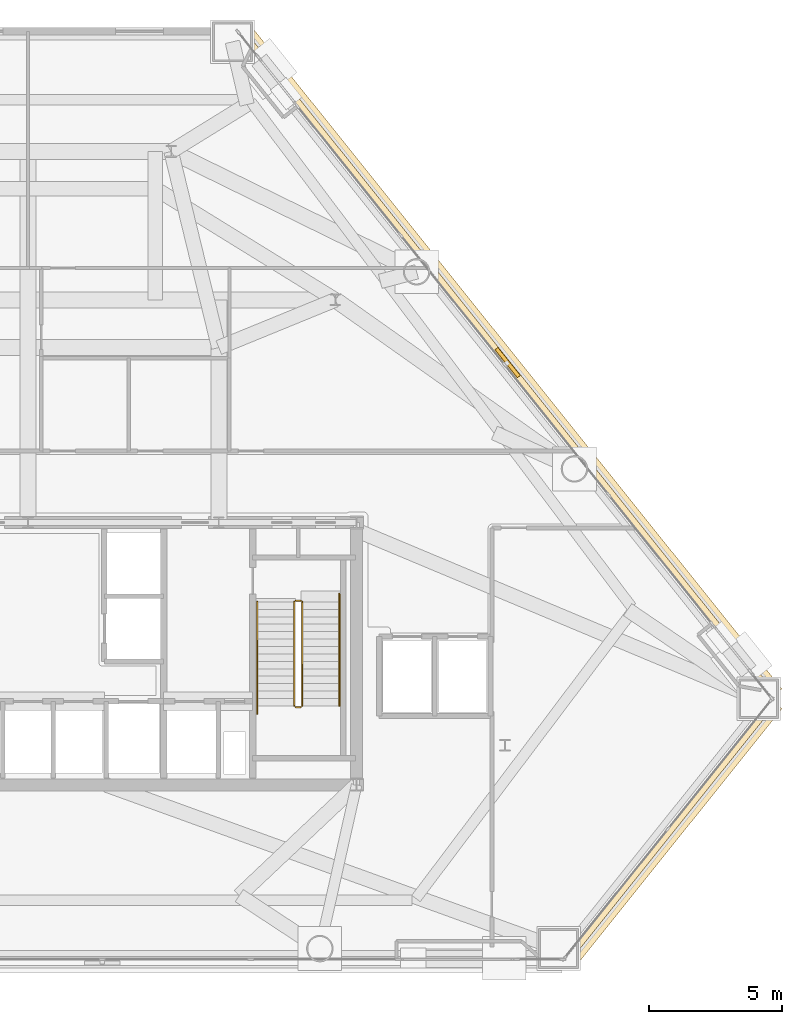
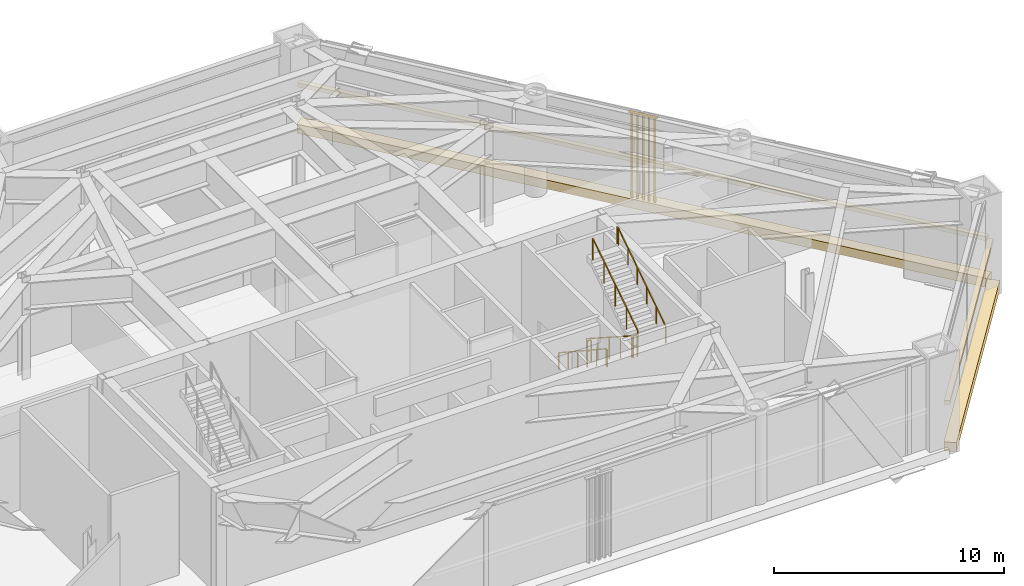
# One storey, part 13 of 13: 6 railings, 4 coverings, 1 shading device.
"""IFC4 building model written with IfcOpenShell, lengths in metres."""

from ifc_helpers import new_model, si_unit, direction, frame, origin, origin_2d, place, context, subcontext, project, spatial, rectangle, extrude, source, transform, mapped, material, layer, layer_set, type_object, type_shapes, element, save


model = new_model("IFC4")

# Units and contexts
model_context = context("Model", 3, precision=1e-05, world=origin(), true_north=direction((0.0, 1.0)))
body_context = subcontext(model_context, "Body", "Model", "MODEL_VIEW")
ifc_project = project(units=[si_unit("LENGTHUNIT", "METRE"), si_unit("AREAUNIT", "SQUARE_METRE"), si_unit("VOLUMEUNIT", "CUBIC_METRE"), si_unit("PLANEANGLEUNIT", "RADIAN"), si_unit("MASSUNIT", "GRAM", prefix="KILO")], contexts=[model_context])

# Site, building, storey
site_placement = place(None, origin())
site = spatial("IfcSite", under=ifc_project, at=site_placement, CompositionType="ELEMENT")
building_placement = place(site_placement, origin())
building = spatial("IfcBuilding", under=site, at=building_placement, Name="Talgorran Terracotta Tower", CompositionType="ELEMENT")
storey_placement = place(building_placement, frame((0.0, 0.0, 18.89990234375)))
storey = spatial("IfcBuildingStorey", under=building, at=storey_placement, Name="L04", CompositionType="ELEMENT", Elevation=18.89990234375)

# Coverings
ifc_material_1 = material(Name="Kiln-Fired Terracotta Ochre Ceramic", Category="masonry")
ifc_layer_1 = layer(ifc_material_1, 0.179931640625, Name="COV_BAGUETTE_TERRACOTTA_SCREEN")
ifc_layer_set_1 = layer_set([ifc_layer_1], Name="Kiln-Fired Terracotta Ochre Ceramic")
covering_type_1 = type_object("IfcCoveringType", Name="COV_BAGUETTE_TERRACOTTA_SCREEN", PredefinedType="CLADDING", material=ifc_layer_set_1)
covering_1_placement = place(storey_placement, frame((24.226318359375, -15.83056640625, 2.41015625), z_axis=(0.0, 0.0, 1.0), x_axis=(0.625120058901, 0.780528610597, 0.0)))
element("IfcCovering", 1, at=covering_1_placement, inside=storey, type_object=covering_type_1, Name="L04 Terracotta Baguette Solar Screen Assembly F2", PredefinedType="CLADDING", context=body_context, shape_type="SweptSolid", body=[
    extrude(rectangle(XDim=12.4462890625, YDim=0.260009765625, at=origin_2d()), origin(), (0.0, 0.0, 1.0), 0.219970703125),
])
covering_2_placement = place(storey_placement, frame((18.072509765625, 1.802490234375, 2.41015625), z_axis=(0.0, 0.0, 1.0), x_axis=(-0.625120058901, 0.780528610597, 0.0)))
element("IfcCovering", 2, at=covering_2_placement, inside=storey, type_object=covering_type_1, Name="L04 Terracotta Baguette Solar Screen Assembly F3", PredefinedType="CLADDING", context=body_context, shape_type="SweptSolid", body=[
    extrude(rectangle(XDim=32.135498046875, YDim=0.260009765625, at=origin_2d()), origin(), (0.0, 0.0, 1.0), 0.219970703125),
])
ifc_material_2 = material(Name="Honed Limestone Cladding", Category="masonry")
ifc_layer_2 = layer(ifc_material_2, 0.094970703125, Name="COV_PORTAL_LIME")
ifc_layer_set_2 = layer_set([ifc_layer_2], Name="Honed Limestone Cladding")
covering_type_2 = type_object("IfcCoveringType", Name="COV_PORTAL_LIME", PredefinedType="CLADDING", material=ifc_layer_set_2)
covering_3_placement = place(storey_placement, frame((24.335693359375, -15.91796875, -0.039794921875), z_axis=(0.0, 0.0, 1.0), x_axis=(0.625120058901, 0.780528610597, 0.0)))
element("IfcCovering", 3, at=covering_3_placement, inside=storey, type_object=covering_type_2, Name="L04 Striped Postmodern Portal Cladding Band F2", PredefinedType="CLADDING", context=body_context, shape_type="SweptSolid", body=[
    extrude(rectangle(XDim=12.46630859375, YDim=0.56005859375, at=origin_2d()), origin(), (0.0, 0.0, 1.0), 0.47998046875),
])
covering_4_placement = place(storey_placement, frame((18.181640625, 1.889892578125, -0.039794921875), z_axis=(0.0, 0.0, 1.0), x_axis=(-0.625120058901, 0.780528610597, 0.0)))
element("IfcCovering", 4, at=covering_4_placement, inside=storey, type_object=covering_type_2, Name="L04 Striped Postmodern Portal Cladding Band F3", PredefinedType="CLADDING", context=body_context, shape_type="SweptSolid", body=[
    extrude(rectangle(XDim=32.155517578125, YDim=0.56005859375, at=origin_2d()), origin(), (0.0, 0.0, 1.0), 0.47998046875),
])

# Railings
ifc_material_3 = material(Name="Steel S355 (300PLUS)", Category="steel")
railing_type_1 = type_object("IfcRailingType", Name="RL_HANDRAIL_920", PredefinedType="HANDRAIL", material=ifc_material_3)
railing_1_placement = place(storey_placement, frame((8.64990234375, -7.199951171875, 0.18017578125)))
element("IfcRailing", 5, at=railing_1_placement, inside=storey, type_object=railing_type_1, Name="L04 ST-02 stair handrail 1", PredefinedType="HANDRAIL", context=body_context, shape_type="SweptSolid", body=[
    extrude(rectangle(XDim=0.048095703125, YDim=0.048095703125, at=origin_2d()), frame((0.0, 0.0, 0.89599609375), z_axis=(0.0, -0.835181450546, 0.549974494557), x_axis=(1.0, 0.0, 0.0)), (0.0, 0.0, 1.0), 4.9091796875),
    extrude(rectangle(XDim=0.048095703125, YDim=0.048095703125, at=origin_2d()), frame((0.0, -4.10009765625, 3.595703125), z_axis=(0.0, -1.0, 0.0), x_axis=(1.0, 0.0, 0.0)), (0.0, 0.0, 1.0), 0.119873046875),
    extrude(rectangle(XDim=0.0419921875, YDim=0.0419921875, at=origin_2d()), origin(), (0.0, 0.0, 1.0), 0.871826171875),
    extrude(rectangle(XDim=0.0419921875, YDim=0.0419921875, at=origin_2d()), frame((0.0, -0.820068359375, 0.5400390625)), (0.0, 0.0, 1.0), 0.871826171875),
    extrude(rectangle(XDim=0.0419921875, YDim=0.0419921875, at=origin_2d()), frame((0.0, -1.64013671875, 1.080078125)), (0.0, 0.0, 1.0), 0.871826171875),
    extrude(rectangle(XDim=0.0419921875, YDim=0.0419921875, at=origin_2d()), frame((0.0, -2.4599609375, 1.619873046875)), (0.0, 0.0, 1.0), 0.871826171875),
    extrude(rectangle(XDim=0.0419921875, YDim=0.0419921875, at=origin_2d()), frame((0.0, -3.280029296875, 2.159912109375)), (0.0, 0.0, 1.0), 0.871826171875),
    extrude(rectangle(XDim=0.0419921875, YDim=0.0419921875, at=origin_2d()), frame((0.0, -4.10009765625, 2.699951171875)), (0.0, 0.0, 1.0), 0.871826171875),
    extrude(rectangle(XDim=0.0419921875, YDim=0.0419921875, at=origin_2d()), frame((0.0, -4.219970703125, 2.699951171875)), (0.0, 0.0, 1.0), 0.871826171875),
])
railing_2_placement = place(storey_placement, frame((11.75, -11.1201171875, 2.880126953125)))
element("IfcRailing", 6, at=railing_2_placement, inside=storey, type_object=railing_type_1, Name="L04 ST-02 stair handrail 2", PredefinedType="HANDRAIL", context=body_context, shape_type="SweptSolid", body=[
    extrude(rectangle(XDim=0.048095703125, YDim=0.048095703125, at=origin_2d()), frame((0.0, 0.0, 0.89599609375), z_axis=(0.0, 0.835181450546, 0.549974494557), x_axis=(-1.0, 0.0, 0.0)), (0.0, 0.0, 1.0), 4.9091796875),
    extrude(rectangle(XDim=0.048095703125, YDim=0.048095703125, at=origin_2d()), frame((0.0, 4.10009765625, 3.595703125), z_axis=(0.0, 1.0, 0.0), x_axis=(-1.0, 0.0, 0.0)), (0.0, 0.0, 1.0), 0.1201171875),
    extrude(rectangle(XDim=0.0419921875, YDim=0.0419921875, at=origin_2d()), origin(), (0.0, 0.0, 1.0), 0.871826171875),
    extrude(rectangle(XDim=0.0419921875, YDim=0.0419921875, at=origin_2d()), frame((0.0, 0.820068359375, 0.5400390625)), (0.0, 0.0, 1.0), 0.871826171875),
    extrude(rectangle(XDim=0.0419921875, YDim=0.0419921875, at=origin_2d()), frame((0.0, 1.64013671875, 1.080078125)), (0.0, 0.0, 1.0), 0.871826171875),
    extrude(rectangle(XDim=0.0419921875, YDim=0.0419921875, at=origin_2d()), frame((0.0, 2.4599609375, 1.619873046875)), (0.0, 0.0, 1.0), 0.871826171875),
    extrude(rectangle(XDim=0.0419921875, YDim=0.0419921875, at=origin_2d()), frame((0.0, 3.280029296875, 2.159912109375)), (0.0, 0.0, 1.0), 0.871826171875),
    extrude(rectangle(XDim=0.0419921875, YDim=0.0419921875, at=origin_2d()), frame((0.0, 4.10009765625, 2.699951171875)), (0.0, 0.0, 1.0), 0.871826171875),
    extrude(rectangle(XDim=0.0419921875, YDim=0.0419921875, at=origin_2d()), frame((0.0, 4.22021484375, 2.699951171875)), (0.0, 0.0, 1.0), 0.871826171875),
])
railing_type_2 = type_object("IfcRailingType", Name="RL_STAIR_GUARD", PredefinedType="GUARDRAIL", material=ifc_material_3)
railing_3_placement = place(storey_placement, frame((10.050048828125, -7.199951171875, 0.18017578125)))
element("IfcRailing", 7, at=railing_3_placement, inside=storey, type_object=railing_type_2, Name="L04 ST-02 stair guard 1", PredefinedType="GUARDRAIL", context=body_context, shape_type="SweptSolid", body=[
    extrude(rectangle(XDim=0.048095703125, YDim=0.048095703125, at=origin_2d()), frame((0.0, 0.0, 1.15576171875), z_axis=(0.0, -0.841186985886, 0.540744352514), x_axis=(1.0, 0.0, 0.0)), (0.0, 0.0, 1.0), 4.660400390625),
    extrude(rectangle(XDim=0.0419921875, YDim=0.0419921875, at=origin_2d()), origin(), (0.0, 0.0, 1.0), 1.1318359375),
    extrude(rectangle(XDim=0.0419921875, YDim=0.0419921875, at=origin_2d()), frame((0.0, -0.97998046875, 0.6298828125)), (0.0, 0.0, 1.0), 1.1318359375),
    extrude(rectangle(XDim=0.0419921875, YDim=0.0419921875, at=origin_2d()), frame((0.0, -1.9599609375, 1.260009765625)), (0.0, 0.0, 1.0), 1.1318359375),
    extrude(rectangle(XDim=0.0419921875, YDim=0.0419921875, at=origin_2d()), frame((0.0, -2.940185546875, 1.89013671875)), (0.0, 0.0, 1.0), 1.1318359375),
    extrude(rectangle(XDim=0.0419921875, YDim=0.0419921875, at=origin_2d()), frame((0.0, -3.920166015625, 2.52001953125)), (0.0, 0.0, 1.0), 1.1318359375),
])
railing_4_placement = place(storey_placement, frame((10.10009765625, -11.169921875, 2.7001953125)))
element("IfcRailing", 8, at=railing_4_placement, inside=storey, type_object=railing_type_2, Name="L04 ST-02 stair guard 2", PredefinedType="GUARDRAIL", context=body_context, shape_type="SweptSolid", body=[
    extrude(rectangle(XDim=0.048095703125, YDim=0.048095703125, at=origin_2d()), frame((0.0, 0.0, 1.15576171875), z_axis=(1.0, 0.0, 0.0), x_axis=(0.0, 1.0, 0.0)), (0.0, 0.0, 1.0), 0.199951171875),
    extrude(rectangle(XDim=0.048095703125, YDim=0.048095703125, at=origin_2d()), frame((0.0, 0.0, 0.613525390625), z_axis=(1.0, 0.0, 0.0), x_axis=(0.0, 1.0, 0.0)), (0.0, 0.0, 1.0), 0.199951171875),
    extrude(rectangle(XDim=0.0419921875, YDim=0.0419921875, at=origin_2d()), origin(), (0.0, 0.0, 1.0), 1.1318359375),
    extrude(rectangle(XDim=0.0419921875, YDim=0.0419921875, at=origin_2d()), frame((0.199951171875, 0.0, 0.0)), (0.0, 0.0, 1.0), 1.1318359375),
])
railing_5_placement = place(storey_placement, frame((10.35009765625, -11.1201171875, 2.880126953125)))
element("IfcRailing", 9, at=railing_5_placement, inside=storey, type_object=railing_type_2, Name="L04 ST-02 stair guard 3", PredefinedType="GUARDRAIL", context=body_context, shape_type="SweptSolid", body=[
    extrude(rectangle(XDim=0.048095703125, YDim=0.048095703125, at=origin_2d()), frame((0.0, 0.0, 1.15576171875), z_axis=(0.0, 0.841186985886, 0.540744352514), x_axis=(-1.0, 0.0, 0.0)), (0.0, 0.0, 1.0), 4.660400390625),
    extrude(rectangle(XDim=0.0419921875, YDim=0.0419921875, at=origin_2d()), origin(), (0.0, 0.0, 1.0), 1.1318359375),
    extrude(rectangle(XDim=0.0419921875, YDim=0.0419921875, at=origin_2d()), frame((0.0, 0.97998046875, 0.6298828125)), (0.0, 0.0, 1.0), 1.1318359375),
    extrude(rectangle(XDim=0.0419921875, YDim=0.0419921875, at=origin_2d()), frame((0.0, 1.9599609375, 1.260009765625)), (0.0, 0.0, 1.0), 1.1318359375),
    extrude(rectangle(XDim=0.0419921875, YDim=0.0419921875, at=origin_2d()), frame((0.0, 2.940185546875, 1.89013671875)), (0.0, 0.0, 1.0), 1.1318359375),
    extrude(rectangle(XDim=0.0419921875, YDim=0.0419921875, at=origin_2d()), frame((0.0, 3.920166015625, 2.52001953125)), (0.0, 0.0, 1.0), 1.1318359375),
])
railing_6_placement = place(storey_placement, frame((10.10009765625, -7.14990234375, 0.0)))
element("IfcRailing", 10, at=railing_6_placement, inside=storey, type_object=railing_type_2, Name="L04 ST-02 stair guard 4", PredefinedType="GUARDRAIL", context=body_context, shape_type="SweptSolid", body=[
    extrude(rectangle(XDim=0.048095703125, YDim=0.048095703125, at=origin_2d()), frame((0.0, 0.0, 1.15576171875), z_axis=(1.0, 0.0, 0.0), x_axis=(0.0, 1.0, 0.0)), (0.0, 0.0, 1.0), 0.199951171875),
    extrude(rectangle(XDim=0.048095703125, YDim=0.048095703125, at=origin_2d()), frame((0.0, 0.0, 0.613525390625), z_axis=(1.0, 0.0, 0.0), x_axis=(0.0, 1.0, 0.0)), (0.0, 0.0, 1.0), 0.199951171875),
    extrude(rectangle(XDim=0.0419921875, YDim=0.0419921875, at=origin_2d()), origin(), (0.0, 0.0, 1.0), 1.1318359375),
    extrude(rectangle(XDim=0.0419921875, YDim=0.0419921875, at=origin_2d()), frame((0.199951171875, 0.0, 0.0)), (0.0, 0.0, 1.0), 1.1318359375),
])

# Shading device
ifc_material_4 = material(Name="Kiln-Fired Terracotta", Category="masonry")
ifc_layer_3 = layer(ifc_material_4, 0.139892578125, Name="SHD_BAGUETTE_TERRA")
ifc_layer_set_3 = layer_set([ifc_layer_3], Name="Kiln-Fired Terracotta")
shading_device_type = type_object("IfcShadingDeviceType", Name="SHD_BAGUETTE_TERRA", PredefinedType="JALOUSIE", material=ifc_layer_set_3)
shared_shape = source(origin(), body_context, "Body", "SweptSolid", [
    extrude(rectangle(XDim=1.35009765625, YDim=0.139892578125, at=origin_2d()), origin(), (0.0, 0.0, 1.0), 0.054931640625),
    extrude(rectangle(XDim=1.35009765625, YDim=0.139892578125, at=origin_2d()), frame((0.0, 0.0, 4.545166015625)), (0.0, 0.0, 1.0), 0.054931640625),
    extrude(rectangle(XDim=0.074951171875, YDim=0.139892578125, at=origin_2d()), frame((-0.53515625, 0.0, 0.054931640625), z_axis=(0.0, 0.0, 1.0), x_axis=(0.866025403784, 0.5, 0.0)), (0.0, 0.0, 1.0), 4.490234375),
    extrude(rectangle(XDim=0.074951171875, YDim=0.139892578125, at=origin_2d()), frame((-0.267578125, 0.0, 0.054931640625), z_axis=(0.0, 0.0, 1.0), x_axis=(0.866025403784, 0.5, 0.0)), (0.0, 0.0, 1.0), 4.490234375),
    extrude(rectangle(XDim=0.074951171875, YDim=0.139892578125, at=origin_2d()), frame((0.0, 0.0, 0.054931640625), z_axis=(0.0, 0.0, 1.0), x_axis=(0.866025403784, 0.5, 0.0)), (0.0, 0.0, 1.0), 4.490234375),
    extrude(rectangle(XDim=0.074951171875, YDim=0.139892578125, at=origin_2d()), frame((0.267578125, 0.0, 0.054931640625), z_axis=(0.0, 0.0, 1.0), x_axis=(0.866025403784, 0.5, 0.0)), (0.0, 0.0, 1.0), 4.490234375),
    extrude(rectangle(XDim=0.074951171875, YDim=0.139892578125, at=origin_2d()), frame((0.53515625, 0.0, 0.054931640625), z_axis=(0.0, 0.0, 1.0), x_axis=(0.866025403784, 0.5, 0.0)), (0.0, 0.0, 1.0), 4.490234375),
])
type_shapes(shading_device_type, [shared_shape])
shading_device_placement = place(storey_placement, frame((18.099609375, 1.83251953125, 0.35009765625), z_axis=(0.0, 0.0, 1.0), x_axis=(-0.625120058901, 0.780528610597, 0.0)))
element("IfcShadingDevice", 11, at=shading_device_placement, inside=storey, type_object=shading_device_type, Name="BAG-L04-F3", PredefinedType="JALOUSIE", context=body_context, shape_type="MappedRepresentation", body=[
    mapped(shared_shape, transform((0.0, 0.0, 0.0), scale=1.0)),
])

save(model, "model.ifc")
